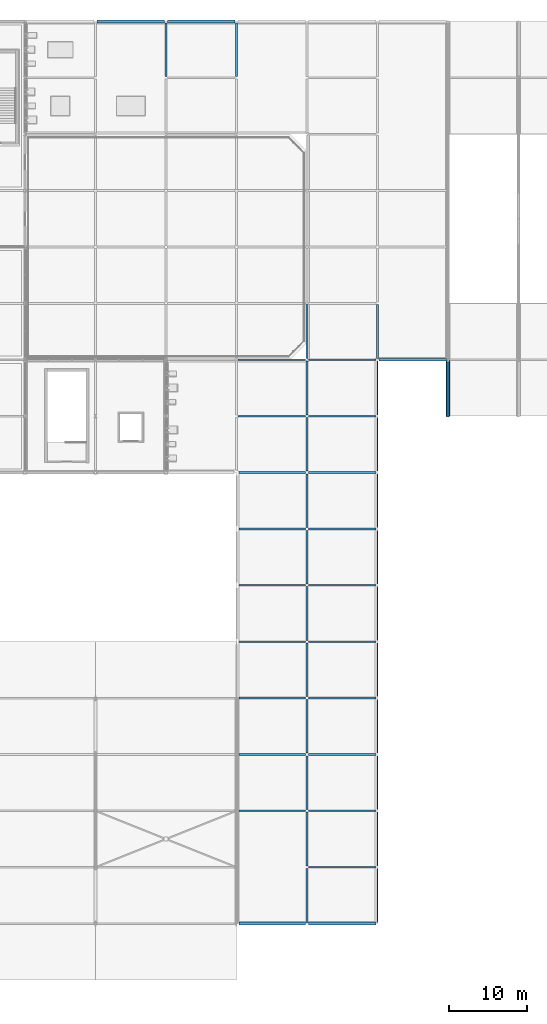
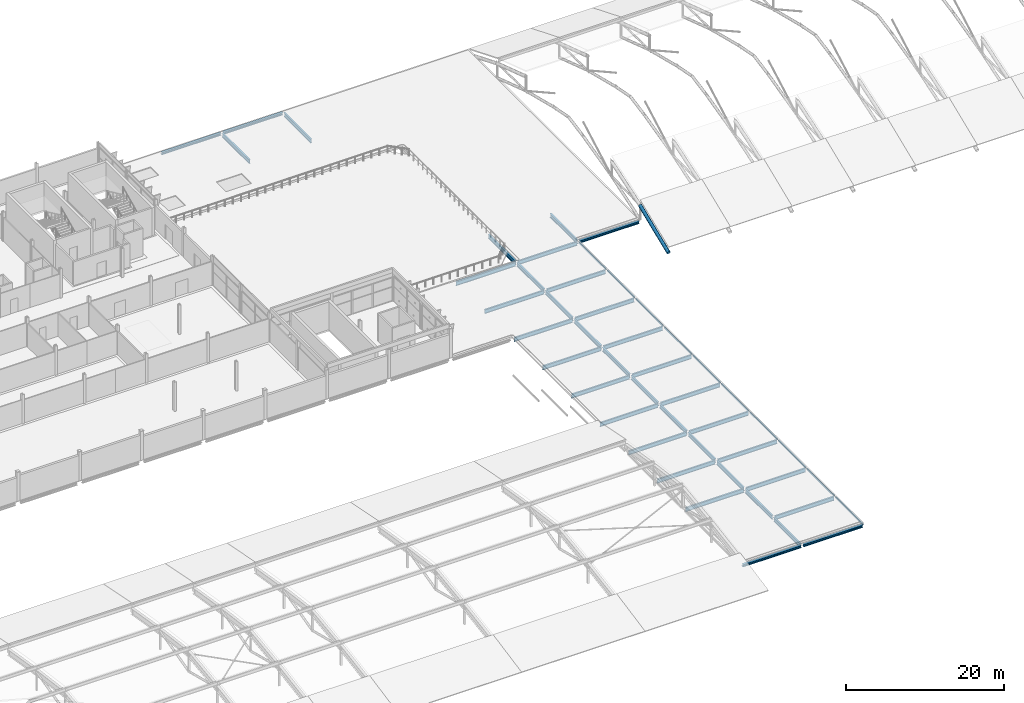
# One storey, part 43 of 78: 48 beams, 1 member.
"""IFC4 building model written with IfcOpenShell, lengths in metres."""

from ifc_helpers import new_model, si_unit, direction, frame, origin, origin_2d, place, context, subcontext, project, spatial, hollow_rectangle, hollow_circle, i_section, extrude, material, material_profile, profile_set, type_object, element, save


model = new_model("IFC4")

# Units and contexts
model_context = context("Model", 3, precision=1e-05, world=origin(), true_north=direction((0.0, 1.0)))
body_context = subcontext(model_context, "Body", "Model", "MODEL_VIEW")
ifc_project = project(units=[si_unit("LENGTHUNIT", "METRE"), si_unit("AREAUNIT", "SQUARE_METRE"), si_unit("VOLUMEUNIT", "CUBIC_METRE"), si_unit("PLANEANGLEUNIT", "RADIAN"), si_unit("MASSUNIT", "GRAM", prefix="KILO")], contexts=[model_context])

# Site, building, storey
site_placement = place(None, origin())
site = spatial("IfcSite", under=ifc_project, at=site_placement, CompositionType="ELEMENT")
building_placement = place(site_placement, origin())
building = spatial("IfcBuilding", under=site, at=building_placement, Name="Celestram Park Convention Centre", CompositionType="ELEMENT")
storey_placement = place(building_placement, frame((0.0, 0.0, 19.800048828125)))
storey = spatial("IfcBuildingStorey", under=building, at=storey_placement, Name="L04", CompositionType="ELEMENT", Elevation=19.800048828125)

# Beams
ifc_material_1 = material(Name="Steel ASTM A992 Grade 50", Category="steel")
ifc_material_profile_1 = material_profile(ifc_material_1, i_section(OverallWidth=0.22900390625, OverallDepth=0.612060546875, WebThickness=0.011962890625, FlangeThickness=0.01953125, at=origin_2d()), Name="W24X84")
ifc_profile_set_1 = profile_set([ifc_material_profile_1], Name="Steel ASTM A992 Grade 50")
beam_type_1 = type_object("IfcBeamType", Name="STR-BM-W24X84", PredefinedType="BEAM", material=ifc_profile_set_1)
beam_1_placement = place(storey_placement, frame((117.0, 158.572998046875, -0.546142578125), z_axis=(0.0, 1.0, 0.0), x_axis=(-1.0, 0.0, 0.0)))
element("IfcBeam", 1, at=beam_1_placement, inside=storey, type_object=beam_type_1, Name="Primary Y-girder BG-L04-0145", PredefinedType="BEAM", context=body_context, shape_type="SweptSolid", body=[
    extrude(i_section(OverallWidth=0.22900390625, OverallDepth=0.612060546875, WebThickness=0.011962890625, FlangeThickness=0.01953125, at=origin_2d()), origin(), (0.0, 0.0, 1.0), 6.85400390625),
])
for number, where, z_axis, x_axis, name in (
    (2, (126.347900390625, 64.800048828125, -0.546142578125), (1.0, 0.0, 0.0), (0.0, 1.0, 0.0), "Primary X-girder BG-L04-0150"),
    (3, (126.347900390625, 72.0, -0.546142578125), (1.0, 0.0, 0.0), (0.0, 1.0, 0.0), "Primary X-girder BG-L04-0152"),
    (4, (126.347900390625, 79.199951171875, -0.546142578125), (1.0, 0.0, 0.0), (0.0, 1.0, 0.0), "Primary X-girder BG-L04-0154"),
    (5, (126.347900390625, 86.39990234375, -0.546142578125), (1.0, 0.0, 0.0), (0.0, 1.0, 0.0), "Primary X-girder BG-L04-0156"),
    (6, (126.347900390625, 93.60009765625, -0.546142578125), (1.0, 0.0, 0.0), (0.0, 1.0, 0.0), "Primary X-girder BG-L04-0158"),
    (7, (126.347900390625, 100.800048828125, -0.546142578125), (1.0, 0.0, 0.0), (0.0, 1.0, 0.0), "Primary X-girder BG-L04-0160"),
    (8, (126.347900390625, 108.0, -0.546142578125), (1.0, 0.0, 0.0), (0.0, 1.0, 0.0), "Primary X-girder BG-L04-0162"),
):
    element("IfcBeam", number, at=place(storey_placement, frame(where, z_axis=z_axis, x_axis=x_axis)), inside=storey, type_object=beam_type_1, Name=name, PredefinedType="BEAM", context=body_context, shape_type="SweptSolid", body=[
        extrude(i_section(OverallWidth=0.22900390625, OverallDepth=0.612060546875, WebThickness=0.011962890625, FlangeThickness=0.01953125, at=origin_2d()), origin(), (0.0, 0.0, 1.0), 8.47900390625),
    ])
for number, where, z_axis, x_axis, name in (
    (9, (126.173095703125, 115.199951171875, -0.546142578125), (1.0, 0.0, 0.0), (0.0, 1.0, 0.0), "Primary X-girder BG-L04-0164"),
    (10, (126.173095703125, 122.39990234375, -0.60595703125), (1.0, 0.0, 0.0), (0.0, 1.0, 0.0), "Primary X-girder BG-L04-0166"),
):
    element("IfcBeam", number, at=place(storey_placement, frame(where, z_axis=z_axis, x_axis=x_axis)), inside=storey, type_object=beam_type_1, Name=name, PredefinedType="BEAM", context=body_context, shape_type="SweptSolid", body=[
        extrude(i_section(OverallWidth=0.22900390625, OverallDepth=0.612060546875, WebThickness=0.011962890625, FlangeThickness=0.01953125, at=origin_2d()), origin(), (0.0, 0.0, 1.0), 8.65380859375),
    ])
for number, where, z_axis, x_axis, name in (
    (11, (126.0, 158.572998046875, -0.546142578125), (0.0, 1.0, 0.0), (-1.0, 0.0, 0.0), "Primary Y-girder BG-L04-0175"),
    (12, (135.0, 50.572998046875, -0.546142578125), (0.0, 1.0, 0.0), (-1.0, 0.0, 0.0), "Primary Y-girder BG-L04-0178"),
):
    element("IfcBeam", number, at=place(storey_placement, frame(where, z_axis=z_axis, x_axis=x_axis)), inside=storey, type_object=beam_type_1, Name=name, PredefinedType="BEAM", context=body_context, shape_type="SweptSolid", body=[
        extrude(i_section(OverallWidth=0.22900390625, OverallDepth=0.612060546875, WebThickness=0.011962890625, FlangeThickness=0.01953125, at=origin_2d()), origin(), (0.0, 0.0, 1.0), 6.85400390625),
    ])
beam_2_placement = place(storey_placement, frame((135.173095703125, 57.60009765625, -0.546142578125), z_axis=(1.0, 0.0, 0.0), x_axis=(0.0, 1.0, 0.0)))
element("IfcBeam", 13, at=beam_2_placement, inside=storey, type_object=beam_type_1, Name="Primary X-girder BG-L04-0179", PredefinedType="BEAM", context=body_context, shape_type="SweptSolid", body=[
    extrude(i_section(OverallWidth=0.22900390625, OverallDepth=0.612060546875, WebThickness=0.011962890625, FlangeThickness=0.01953125, at=origin_2d()), origin(), (0.0, 0.0, 1.0), 8.65380859375),
])
beam_3_placement = place(storey_placement, frame((135.0, 57.77294921875, -0.546142578125), z_axis=(0.0, 1.0, 0.0), x_axis=(-1.0, 0.0, 0.0)))
element("IfcBeam", 14, at=beam_3_placement, inside=storey, type_object=beam_type_1, Name="Primary Y-girder BG-L04-0180", PredefinedType="BEAM", context=body_context, shape_type="SweptSolid", body=[
    extrude(i_section(OverallWidth=0.22900390625, OverallDepth=0.612060546875, WebThickness=0.011962890625, FlangeThickness=0.01953125, at=origin_2d()), origin(), (0.0, 0.0, 1.0), 6.85400390625),
])
beam_4_placement = place(storey_placement, frame((135.173095703125, 64.800048828125, -0.546142578125), z_axis=(1.0, 0.0, 0.0), x_axis=(0.0, 1.0, 0.0)))
element("IfcBeam", 15, at=beam_4_placement, inside=storey, type_object=beam_type_1, Name="Primary X-girder BG-L04-0181", PredefinedType="BEAM", context=body_context, shape_type="SweptSolid", body=[
    extrude(i_section(OverallWidth=0.22900390625, OverallDepth=0.612060546875, WebThickness=0.011962890625, FlangeThickness=0.01953125, at=origin_2d()), origin(), (0.0, 0.0, 1.0), 8.65380859375),
])
beam_5_placement = place(storey_placement, frame((135.0, 64.972900390625, -0.546142578125), z_axis=(0.0, 1.0, 0.0), x_axis=(-1.0, 0.0, 0.0)))
element("IfcBeam", 16, at=beam_5_placement, inside=storey, type_object=beam_type_1, Name="Primary Y-girder BG-L04-0182", PredefinedType="BEAM", context=body_context, shape_type="SweptSolid", body=[
    extrude(i_section(OverallWidth=0.22900390625, OverallDepth=0.612060546875, WebThickness=0.011962890625, FlangeThickness=0.01953125, at=origin_2d()), origin(), (0.0, 0.0, 1.0), 6.85400390625),
])
beam_6_placement = place(storey_placement, frame((135.173095703125, 72.0, -0.546142578125), z_axis=(1.0, 0.0, 0.0), x_axis=(0.0, 1.0, 0.0)))
element("IfcBeam", 17, at=beam_6_placement, inside=storey, type_object=beam_type_1, Name="Primary X-girder BG-L04-0183", PredefinedType="BEAM", context=body_context, shape_type="SweptSolid", body=[
    extrude(i_section(OverallWidth=0.22900390625, OverallDepth=0.612060546875, WebThickness=0.011962890625, FlangeThickness=0.01953125, at=origin_2d()), origin(), (0.0, 0.0, 1.0), 8.65380859375),
])
beam_7_placement = place(storey_placement, frame((135.0, 72.173095703125, -0.546142578125), z_axis=(0.0, 1.0, 0.0), x_axis=(-1.0, 0.0, 0.0)))
element("IfcBeam", 18, at=beam_7_placement, inside=storey, type_object=beam_type_1, Name="Primary Y-girder BG-L04-0184", PredefinedType="BEAM", context=body_context, shape_type="SweptSolid", body=[
    extrude(i_section(OverallWidth=0.22900390625, OverallDepth=0.612060546875, WebThickness=0.011962890625, FlangeThickness=0.01953125, at=origin_2d()), origin(), (0.0, 0.0, 1.0), 6.85400390625),
])
beam_8_placement = place(storey_placement, frame((135.173095703125, 79.199951171875, -0.546142578125), z_axis=(1.0, 0.0, 0.0), x_axis=(0.0, 1.0, 0.0)))
element("IfcBeam", 19, at=beam_8_placement, inside=storey, type_object=beam_type_1, Name="Primary X-girder BG-L04-0185", PredefinedType="BEAM", context=body_context, shape_type="SweptSolid", body=[
    extrude(i_section(OverallWidth=0.22900390625, OverallDepth=0.612060546875, WebThickness=0.011962890625, FlangeThickness=0.01953125, at=origin_2d()), origin(), (0.0, 0.0, 1.0), 8.65380859375),
])
beam_9_placement = place(storey_placement, frame((135.0, 79.373046875, -0.546142578125), z_axis=(0.0, 1.0, 0.0), x_axis=(-1.0, 0.0, 0.0)))
element("IfcBeam", 20, at=beam_9_placement, inside=storey, type_object=beam_type_1, Name="Primary Y-girder BG-L04-0186", PredefinedType="BEAM", context=body_context, shape_type="SweptSolid", body=[
    extrude(i_section(OverallWidth=0.22900390625, OverallDepth=0.612060546875, WebThickness=0.011962890625, FlangeThickness=0.01953125, at=origin_2d()), origin(), (0.0, 0.0, 1.0), 6.85400390625),
])
beam_10_placement = place(storey_placement, frame((135.173095703125, 86.39990234375, -0.546142578125), z_axis=(1.0, 0.0, 0.0), x_axis=(0.0, 1.0, 0.0)))
element("IfcBeam", 21, at=beam_10_placement, inside=storey, type_object=beam_type_1, Name="Primary X-girder BG-L04-0187", PredefinedType="BEAM", context=body_context, shape_type="SweptSolid", body=[
    extrude(i_section(OverallWidth=0.22900390625, OverallDepth=0.612060546875, WebThickness=0.011962890625, FlangeThickness=0.01953125, at=origin_2d()), origin(), (0.0, 0.0, 1.0), 8.65380859375),
])
beam_11_placement = place(storey_placement, frame((135.0, 86.572998046875, -0.546142578125), z_axis=(0.0, 1.0, 0.0), x_axis=(-1.0, 0.0, 0.0)))
element("IfcBeam", 22, at=beam_11_placement, inside=storey, type_object=beam_type_1, Name="Primary Y-girder BG-L04-0188", PredefinedType="BEAM", context=body_context, shape_type="SweptSolid", body=[
    extrude(i_section(OverallWidth=0.22900390625, OverallDepth=0.612060546875, WebThickness=0.011962890625, FlangeThickness=0.01953125, at=origin_2d()), origin(), (0.0, 0.0, 1.0), 6.85400390625),
])
beam_12_placement = place(storey_placement, frame((135.173095703125, 93.60009765625, -0.546142578125), z_axis=(1.0, 0.0, 0.0), x_axis=(0.0, 1.0, 0.0)))
element("IfcBeam", 23, at=beam_12_placement, inside=storey, type_object=beam_type_1, Name="Primary X-girder BG-L04-0189", PredefinedType="BEAM", context=body_context, shape_type="SweptSolid", body=[
    extrude(i_section(OverallWidth=0.22900390625, OverallDepth=0.612060546875, WebThickness=0.011962890625, FlangeThickness=0.01953125, at=origin_2d()), origin(), (0.0, 0.0, 1.0), 8.65380859375),
])
beam_13_placement = place(storey_placement, frame((135.0, 93.77294921875, -0.546142578125), z_axis=(0.0, 1.0, 0.0), x_axis=(-1.0, 0.0, 0.0)))
element("IfcBeam", 24, at=beam_13_placement, inside=storey, type_object=beam_type_1, Name="Primary Y-girder BG-L04-0190", PredefinedType="BEAM", context=body_context, shape_type="SweptSolid", body=[
    extrude(i_section(OverallWidth=0.22900390625, OverallDepth=0.612060546875, WebThickness=0.011962890625, FlangeThickness=0.01953125, at=origin_2d()), origin(), (0.0, 0.0, 1.0), 6.85400390625),
])
beam_14_placement = place(storey_placement, frame((135.173095703125, 100.800048828125, -0.546142578125), z_axis=(1.0, 0.0, 0.0), x_axis=(0.0, 1.0, 0.0)))
element("IfcBeam", 25, at=beam_14_placement, inside=storey, type_object=beam_type_1, Name="Primary X-girder BG-L04-0191", PredefinedType="BEAM", context=body_context, shape_type="SweptSolid", body=[
    extrude(i_section(OverallWidth=0.22900390625, OverallDepth=0.612060546875, WebThickness=0.011962890625, FlangeThickness=0.01953125, at=origin_2d()), origin(), (0.0, 0.0, 1.0), 8.65380859375),
])
beam_15_placement = place(storey_placement, frame((135.0, 100.972900390625, -0.546142578125), z_axis=(0.0, 1.0, 0.0), x_axis=(-1.0, 0.0, 0.0)))
element("IfcBeam", 26, at=beam_15_placement, inside=storey, type_object=beam_type_1, Name="Primary Y-girder BG-L04-0192", PredefinedType="BEAM", context=body_context, shape_type="SweptSolid", body=[
    extrude(i_section(OverallWidth=0.22900390625, OverallDepth=0.612060546875, WebThickness=0.011962890625, FlangeThickness=0.01953125, at=origin_2d()), origin(), (0.0, 0.0, 1.0), 6.85400390625),
])
beam_16_placement = place(storey_placement, frame((135.173095703125, 108.0, -0.546142578125), z_axis=(1.0, 0.0, 0.0), x_axis=(0.0, 1.0, 0.0)))
element("IfcBeam", 27, at=beam_16_placement, inside=storey, type_object=beam_type_1, Name="Primary X-girder BG-L04-0193", PredefinedType="BEAM", context=body_context, shape_type="SweptSolid", body=[
    extrude(i_section(OverallWidth=0.22900390625, OverallDepth=0.612060546875, WebThickness=0.011962890625, FlangeThickness=0.01953125, at=origin_2d()), origin(), (0.0, 0.0, 1.0), 8.65380859375),
])
beam_17_placement = place(storey_placement, frame((135.0, 108.173095703125, -0.546142578125), z_axis=(0.0, 1.0, 0.0), x_axis=(-1.0, 0.0, 0.0)))
element("IfcBeam", 28, at=beam_17_placement, inside=storey, type_object=beam_type_1, Name="Primary Y-girder BG-L04-0194", PredefinedType="BEAM", context=body_context, shape_type="SweptSolid", body=[
    extrude(i_section(OverallWidth=0.22900390625, OverallDepth=0.612060546875, WebThickness=0.011962890625, FlangeThickness=0.01953125, at=origin_2d()), origin(), (0.0, 0.0, 1.0), 6.85400390625),
])
beam_18_placement = place(storey_placement, frame((135.173095703125, 115.199951171875, -0.546142578125), z_axis=(1.0, 0.0, 0.0), x_axis=(0.0, 1.0, 0.0)))
element("IfcBeam", 29, at=beam_18_placement, inside=storey, type_object=beam_type_1, Name="Primary X-girder BG-L04-0195", PredefinedType="BEAM", context=body_context, shape_type="SweptSolid", body=[
    extrude(i_section(OverallWidth=0.22900390625, OverallDepth=0.612060546875, WebThickness=0.011962890625, FlangeThickness=0.01953125, at=origin_2d()), origin(), (0.0, 0.0, 1.0), 8.65380859375),
])
beam_19_placement = place(storey_placement, frame((135.0, 115.373046875, -0.546142578125), z_axis=(0.0, 1.0, 0.0), x_axis=(-1.0, 0.0, 0.0)))
element("IfcBeam", 30, at=beam_19_placement, inside=storey, type_object=beam_type_1, Name="Primary Y-girder BG-L04-0196", PredefinedType="BEAM", context=body_context, shape_type="SweptSolid", body=[
    extrude(i_section(OverallWidth=0.22900390625, OverallDepth=0.612060546875, WebThickness=0.011962890625, FlangeThickness=0.01953125, at=origin_2d()), origin(), (0.0, 0.0, 1.0), 6.85400390625),
])
beam_20_placement = place(storey_placement, frame((135.173095703125, 122.39990234375, -0.546142578125), z_axis=(1.0, 0.0, 0.0), x_axis=(0.0, 1.0, 0.0)))
element("IfcBeam", 31, at=beam_20_placement, inside=storey, type_object=beam_type_1, Name="Primary X-girder BG-L04-0197", PredefinedType="BEAM", context=body_context, shape_type="SweptSolid", body=[
    extrude(i_section(OverallWidth=0.22900390625, OverallDepth=0.612060546875, WebThickness=0.011962890625, FlangeThickness=0.01953125, at=origin_2d()), origin(), (0.0, 0.0, 1.0), 8.65380859375),
])
for number, where, z_axis, x_axis, name in (
    (32, (135.0, 122.572998046875, -0.60595703125), (0.0, 1.0, 0.0), (-1.0, 0.0, 0.0), "Primary Y-girder BG-L04-0198"),
    (33, (144.0, 122.572998046875, -0.546142578125), (0.0, 1.0, 0.0), (-1.0, 0.0, 0.0), "Primary Y-girder BG-L04-0221"),
):
    element("IfcBeam", number, at=place(storey_placement, frame(where, z_axis=z_axis, x_axis=x_axis)), inside=storey, type_object=beam_type_1, Name=name, PredefinedType="BEAM", context=body_context, shape_type="SweptSolid", body=[
        extrude(i_section(OverallWidth=0.22900390625, OverallDepth=0.612060546875, WebThickness=0.011962890625, FlangeThickness=0.01953125, at=origin_2d()), origin(), (0.0, 0.0, 1.0), 6.85400390625),
    ])

# Member
ifc_material_2 = material(Name="Steel ASTM A500 Grade C", Category="steel")
ifc_material_profile_2 = material_profile(ifc_material_2, hollow_circle(Radius=0.25390625, WallThickness=0.01611328125, at=origin_2d()), Name="CHS508X16")
ifc_profile_set_2 = profile_set([ifc_material_profile_2], Name="Steel ASTM A500 Grade C")
member_type = type_object("IfcMemberType", Name="STR-CHD-CHS508", PredefinedType="CHORD", material=ifc_profile_set_2)
member_placement = place(storey_placement, frame((153.0, 115.199951171875, -0.885986328125), z_axis=(0.0, 0.925574450341, 0.378565630871), x_axis=(-1.0, 0.0, 0.0)))
element("IfcMember", 34, at=member_placement, inside=storey, type_object=member_type, Name="V2 arch top chord", PredefinedType="CHORD", context=body_context, shape_type="SweptSolid", body=[
    extrude(hollow_circle(Radius=0.25390625, WallThickness=0.01611328125, at=origin_2d()), origin(), (0.0, 0.0, 1.0), 7.77880859375),
])

# Beams
ifc_material_profile_3 = material_profile(ifc_material_2, hollow_rectangle(XDim=0.14990234375, YDim=0.25, WallThickness=0.010009765625, at=origin_2d()), Name="HSS250X150X10")
ifc_profile_set_3 = profile_set([ifc_material_profile_3], Name="Steel ASTM A500 Grade C")
beam_type_2 = type_object("IfcBeamType", Name="STR-SPN-HSS250X150", PredefinedType="SPANDREL", material=ifc_profile_set_3)
for number, where, z_axis, x_axis, name in (
    (35, (144.0, 50.572998046875, -0.364990234375), (0.0, 1.0, 0.0), (-1.0, 0.0, 0.0), "Primary Y-girder BG-L04-0210"),
    (36, (144.0, 57.77294921875, -0.364990234375), (0.0, 1.0, 0.0), (-1.0, 0.0, 0.0), "Primary Y-girder BG-L04-0211"),
    (37, (144.0, 64.972900390625, -0.364990234375), (0.0, 1.0, 0.0), (-1.0, 0.0, 0.0), "Primary Y-girder BG-L04-0212"),
    (38, (144.0, 72.173095703125, -0.364990234375), (0.0, 1.0, 0.0), (-1.0, 0.0, 0.0), "Primary Y-girder BG-L04-0213"),
    (39, (144.0, 79.373046875, -0.364990234375), (0.0, 1.0, 0.0), (-1.0, 0.0, 0.0), "Primary Y-girder BG-L04-0214"),
    (40, (144.0, 86.572998046875, -0.364990234375), (0.0, 1.0, 0.0), (-1.0, 0.0, 0.0), "Primary Y-girder BG-L04-0215"),
    (41, (144.0, 93.77294921875, -0.364990234375), (0.0, 1.0, 0.0), (-1.0, 0.0, 0.0), "Primary Y-girder BG-L04-0216"),
    (42, (144.0, 100.972900390625, -0.364990234375), (0.0, 1.0, 0.0), (-1.0, 0.0, 0.0), "Primary Y-girder BG-L04-0217"),
    (43, (144.0, 108.173095703125, -0.364990234375), (0.0, 1.0, 0.0), (-1.0, 0.0, 0.0), "Primary Y-girder BG-L04-0218"),
    (44, (144.0, 115.373046875, -0.364990234375), (0.0, 1.0, 0.0), (-1.0, 0.0, 0.0), "Primary Y-girder BG-L04-0219"),
):
    element("IfcBeam", number, at=place(storey_placement, frame(where, z_axis=z_axis, x_axis=x_axis)), inside=storey, type_object=beam_type_2, Name=name, PredefinedType="SPANDREL", context=body_context, shape_type="SweptSolid", body=[
        extrude(hollow_rectangle(XDim=0.14990234375, YDim=0.25, WallThickness=0.010009765625, at=origin_2d()), origin(), (0.0, 0.0, 1.0), 6.85400390625),
    ])
ifc_material_profile_4 = material_profile(ifc_material_1, i_section(OverallWidth=0.367919921875, OverallDepth=0.35595703125, WebThickness=0.01123046875, FlangeThickness=0.01806640625, at=origin_2d()), Name="W14X90")
ifc_profile_set_4 = profile_set([ifc_material_profile_4], Name="Steel ASTM A992 Grade 50")
beam_type_3 = type_object("IfcBeamType", Name="STR-SPN-W14X90", PredefinedType="SPANDREL", material=ifc_profile_set_4)
for number, where, z_axis, x_axis, name in (
    (45, (108.173095703125, 165.60009765625, -0.41796875), (1.0, 0.0, 0.0), (0.0, 1.0, 0.0), "Primary X-girder BG-L04-0130"),
    (46, (117.173095703125, 165.60009765625, -0.41796875), (1.0, 0.0, 0.0), (0.0, 1.0, 0.0), "Primary X-girder BG-L04-0146"),
):
    element("IfcBeam", number, at=place(storey_placement, frame(where, z_axis=z_axis, x_axis=x_axis)), inside=storey, type_object=beam_type_3, Name=name, PredefinedType="SPANDREL", context=body_context, shape_type="SweptSolid", body=[
        extrude(i_section(OverallWidth=0.367919921875, OverallDepth=0.35595703125, WebThickness=0.01123046875, FlangeThickness=0.01806640625, at=origin_2d()), origin(), (0.0, 0.0, 1.0), 8.65380859375),
    ])
beam_21_placement = place(storey_placement, frame((126.347900390625, 50.39990234375, -0.41796875), z_axis=(1.0, 0.0, 0.0), x_axis=(0.0, 1.0, 0.0)))
element("IfcBeam", 47, at=beam_21_placement, inside=storey, type_object=beam_type_3, Name="Primary X-girder BG-L04-0147", PredefinedType="SPANDREL", context=body_context, shape_type="SweptSolid", body=[
    extrude(i_section(OverallWidth=0.367919921875, OverallDepth=0.35595703125, WebThickness=0.01123046875, FlangeThickness=0.01806640625, at=origin_2d()), origin(), (0.0, 0.0, 1.0), 8.47900390625),
])
beam_22_placement = place(storey_placement, frame((135.173095703125, 50.39990234375, -0.41796875), z_axis=(1.0, 0.0, 0.0), x_axis=(0.0, 1.0, 0.0)))
element("IfcBeam", 48, at=beam_22_placement, inside=storey, type_object=beam_type_3, Name="Primary X-girder BG-L04-0177", PredefinedType="SPANDREL", context=body_context, shape_type="SweptSolid", body=[
    extrude(i_section(OverallWidth=0.367919921875, OverallDepth=0.35595703125, WebThickness=0.01123046875, FlangeThickness=0.01806640625, at=origin_2d()), origin(), (0.0, 0.0, 1.0), 8.65380859375),
])
beam_23_placement = place(storey_placement, frame((144.173095703125, 122.39990234375, -0.41796875), z_axis=(1.0, 0.0, 0.0), x_axis=(0.0, 1.0, 0.0)))
element("IfcBeam", 49, at=beam_23_placement, inside=storey, type_object=beam_type_3, Name="Primary X-girder BG-L04-0220", PredefinedType="SPANDREL", context=body_context, shape_type="SweptSolid", body=[
    extrude(i_section(OverallWidth=0.367919921875, OverallDepth=0.35595703125, WebThickness=0.01123046875, FlangeThickness=0.01806640625, at=origin_2d()), origin(), (0.0, 0.0, 1.0), 8.62890625),
])

save(model, "model.ifc")
